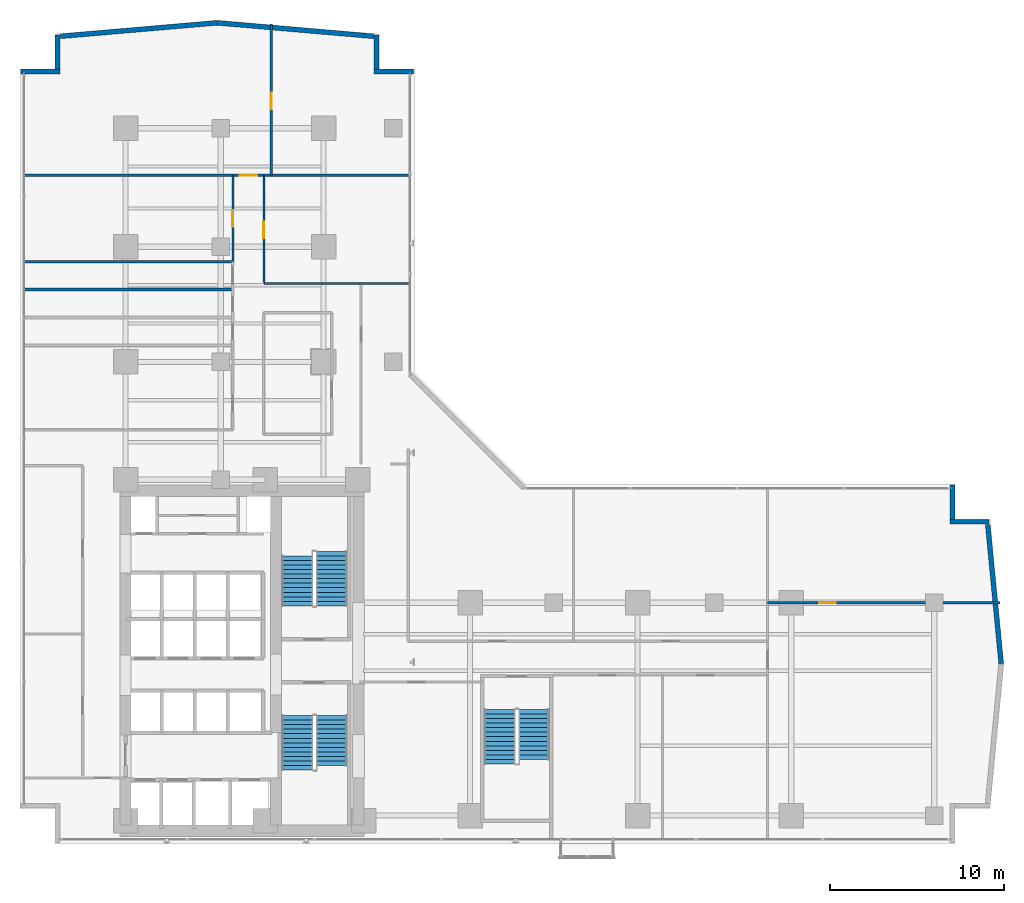
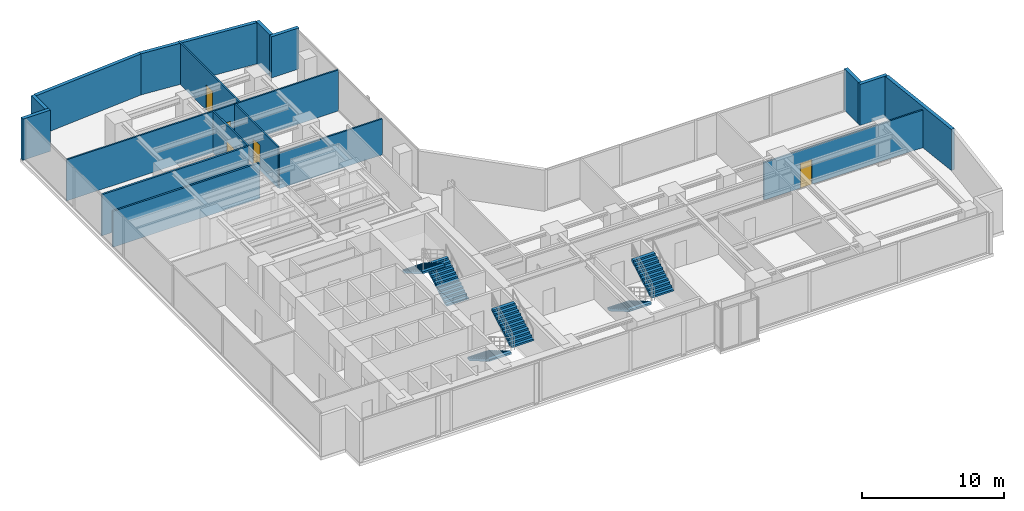
# One storey, part 23 of 28: 17 walls, 6 stair flights, 5 doors, 5 openings, 3 elements without a shape of their own.
"""IFC4 building model written with IfcOpenShell, lengths in metres."""

import ifcopenshell
import ifcopenshell.guid

model = None  # the IFC model being written
_history = None  # IfcOwnerHistory: only IFC2X3 demands one
_inside = {}  # id of a spatial element -> (the spatial element, [elements in it])
_under = {}  # id of a project, library or spatial element -> (it, [spatial elements below it])
_declared = {}  # id of a project -> (the project, [libraries it declares])
_typed = {}  # id of a type object -> (the type object, [elements of that type])
_made_of = {}  # id of a material, layer set ... -> (it, [elements and type objects made of it])


def new_model(schema):
    """Start an empty IFC model of exactly this schema.

    Asked for "IFC4X3", IfcOpenShell would pick the latest addendum, in which some entities
    have other attributes; the version numbers below select the first issue.
    IFC2X3 requires an IfcOwnerHistory on every rooted entity: one is made here for all.
    """
    global model, _history
    if schema == "IFC4X3":
        model = ifcopenshell.file(schema_version=(4, 3, 0, 0))
    else:
        model = ifcopenshell.file(schema=schema)
    _inside.clear()
    _under.clear()
    _declared.clear()
    _typed.clear()
    _made_of.clear()
    _history = None
    if model.schema == "IFC2X3":
        org = make("IfcOrganization", Name="unknown")
        user = make(
            "IfcPersonAndOrganization",
            ThePerson=make("IfcPerson", FamilyName="unknown"),
            TheOrganization=org,
        )
        app = make(
            "IfcApplication",
            ApplicationDeveloper=org,
            Version="unknown",
            ApplicationFullName="unknown",
            ApplicationIdentifier="unknown",
        )
        _history = make(
            "IfcOwnerHistory",
            OwningUser=user,
            OwningApplication=app,
            ChangeAction="ADDED",
            CreationDate=0,
        )
    return model


def make(cls, **values):
    """One entity of the class cls with the attributes given. An attribute that is None is left unset."""
    return model.create_entity(
        cls, **{name: value for name, value in values.items() if value is not None}
    )


def rooted(cls, **values):
    """An entity with a GlobalId (a new one), such as an element, a storey or a relation."""
    return make(cls, GlobalId=ifcopenshell.guid.new(), OwnerHistory=_history, **values)


def si_unit(unit_type, name, prefix=None):
    """IfcSIUnit, for example si_unit("LENGTHUNIT", "METRE", prefix="MILLI")."""
    return make("IfcSIUnit", UnitType=unit_type, Prefix=prefix, Name=name)


def assignment(units):
    """IfcUnitAssignment: the units of a project."""
    return None if units is None else make("IfcUnitAssignment", Units=units)


def point(xyz):
    """IfcCartesianPoint."""
    return None if xyz is None else make("IfcCartesianPoint", Coordinates=xyz)


def direction(xyz):
    """IfcDirection."""
    return None if xyz is None else make("IfcDirection", DirectionRatios=xyz)


def frame(location, z_axis=None, x_axis=None):
    """IfcAxis2Placement3D, a coordinate frame: its origin and axes. An axis left out is left unset."""
    return make(
        "IfcAxis2Placement3D",
        Location=point(location),
        Axis=direction(z_axis),
        RefDirection=direction(x_axis),
    )


def frame_2d(location, x_axis=None):
    """IfcAxis2Placement2D, a coordinate frame in the plane: its origin and x axis."""
    return make(
        "IfcAxis2Placement2D", Location=point(location), RefDirection=direction(x_axis)
    )


def origin():
    """The frame at (0, 0, 0) with its axes left unset."""
    return frame((0.0, 0.0, 0.0))


def place(relative_to, where):
    """IfcLocalPlacement: puts the frame where relative to a parent placement (None: the world)."""
    return make(
        "IfcLocalPlacement", PlacementRelTo=relative_to, RelativePlacement=where
    )


def context(
    kind, dimensions, precision=None, world=None, true_north=None, identifier=None
):
    """IfcGeometricRepresentationContext, for example the 3D "Model" context."""
    return make(
        "IfcGeometricRepresentationContext",
        ContextIdentifier=identifier,
        ContextType=kind,
        CoordinateSpaceDimension=dimensions,
        Precision=precision,
        WorldCoordinateSystem=world,
        TrueNorth=true_north,
    )


def subcontext(parent, identifier, kind, view, scale=None):
    """IfcGeometricRepresentationSubContext, for example "Body" below "Model"."""
    return make(
        "IfcGeometricRepresentationSubContext",
        ContextIdentifier=identifier,
        ContextType=kind,
        ParentContext=parent,
        TargetScale=scale,
        TargetView=view,
    )


def project(units=None, contexts=None):
    """IfcProject with its units and contexts."""
    return rooted(
        "IfcProject",
        Name="project",
        RepresentationContexts=contexts,
        UnitsInContext=assignment(units),
    )


def spatial(cls, under=None, at=None, **own):
    """A site, building, storey or space (cls), placed at a placement, below another one or the project."""
    s = rooted(cls, ObjectPlacement=at, **own)
    if under is not None:
        _under.setdefault(under.id(), (under, []))[1].append(s)
    return s


def polyline(points):
    """IfcPolyline through the points."""
    return make("IfcPolyline", Points=[point(p) for p in points])


def profile(cls, at=None, kind="AREA", **sizes):
    """A parametric profile (cls). Its sizes go by their IFC names, for example OverallWidth=200.0."""
    return make(cls, ProfileType=kind, Position=at, **sizes)


def rectangle(**sizes):
    """IfcRectangleProfileDef."""
    return profile("IfcRectangleProfileDef", **sizes)


def outline(outer, holes=None, kind="AREA"):
    """IfcArbitraryClosedProfileDef: a profile drawn as a closed curve; with holes, ...WithVoids."""
    if holes is None:
        return make("IfcArbitraryClosedProfileDef", ProfileType=kind, OuterCurve=outer)
    return make(
        "IfcArbitraryProfileDefWithVoids",
        ProfileType=kind,
        OuterCurve=outer,
        InnerCurves=holes,
    )


def extrude(swept, where, along, depth):
    """IfcExtrudedAreaSolid: the profile swept, set in the frame where, extruded along a direction by depth."""
    return make(
        "IfcExtrudedAreaSolid",
        SweptArea=swept,
        Position=where,
        ExtrudedDirection=direction(along),
        Depth=depth,
    )


def shape(context_of_items, identifier, shape_type, items):
    """IfcShapeRepresentation: the items that make up one representation, for example the "Body"."""
    return make(
        "IfcShapeRepresentation",
        ContextOfItems=context_of_items,
        RepresentationIdentifier=identifier,
        RepresentationType=shape_type,
        Items=items,
    )


def material(Name=None, Category=None):
    """IfcMaterial."""
    return make("IfcMaterial", Name=Name, Category=Category)


def layer(
    of_material, thickness, ventilated=None, Name=None, Category=None, Priority=None
):
    """IfcMaterialLayer: one layer of a wall or slab, of a material (None: an air gap)."""
    return make(
        "IfcMaterialLayer",
        Material=of_material,
        LayerThickness=thickness,
        IsVentilated=ventilated,
        Name=Name,
        Category=Category,
        Priority=Priority,
    )


def layer_set(layers, Name=None):
    """IfcMaterialLayerSet."""
    return make("IfcMaterialLayerSet", MaterialLayers=layers, LayerSetName=Name)


def made_of(thing, what):
    """Note that an element or type object is made of a material, layer set ...; save() writes the relation."""
    if what is not None:
        _made_of.setdefault(what.id(), (what, []))[1].append(thing)
    return thing


def type_object(cls, material=None, **own):
    """A type object (cls), such as IfcWallType, which elements share."""
    return made_of(rooted(cls, **own), material)


def element(
    cls,
    number,
    at=None,
    inside=None,
    cuts=None,
    type_object=None,
    material=None,
    context=None,
    identifier="Body",
    shape_type=None,
    held_by="IfcProductDefinitionShape",
    body=None,
    shapes=None,
    **own,
):
    """One element of the class cls, such as IfcWall. Its Tag is "e" and its number.

    at: its placement. inside: the storey or other place that contains it. cuts: it is an
    opening in that element (IfcRelVoidsElement). A single representation is given by context,
    identifier, shape_type and body (its items); several are given by shapes. held_by: the class
    of the entity that holds the representations. save() writes the other relations.
    """
    e = rooted(cls, Tag="e%d" % number, ObjectPlacement=at, **own)
    if body is not None:
        shapes = [shape(context, identifier, shape_type, body)]
    if shapes is not None:
        e.Representation = make(held_by, Representations=shapes)
    if inside is not None:
        _inside.setdefault(inside.id(), (inside, []))[1].append(e)
    if cuts is not None:
        rooted(
            "IfcRelVoidsElement", RelatingBuildingElement=cuts, RelatedOpeningElement=e
        )
    if type_object is not None:
        _typed.setdefault(type_object.id(), (type_object, []))[1].append(e)
    return made_of(e, material)


def fill(opening, filler):
    """IfcRelFillsElement: the door or window that sits in an opening."""
    return rooted(
        "IfcRelFillsElement",
        RelatingOpeningElement=opening,
        RelatedBuildingElement=filler,
    )


def aggregate(whole, parts):
    """IfcRelAggregates: a whole, such as a stair, and the parts it consists of."""
    return rooted("IfcRelAggregates", RelatingObject=whole, RelatedObjects=parts)


def save(model, path):
    """Write the relations noted so far, then the file.

    IfcRelAggregates (storeys below a building ...), IfcRelContainedInSpatialStructure (elements
    in a storey), IfcRelDefinesByType, IfcRelAssociatesMaterial and IfcRelDeclares: one each for
    every whole, place, type object, material and project.
    """
    for whole, parts in _under.values():
        aggregate(whole, parts)
    for where, things in _inside.values():
        rooted(
            "IfcRelContainedInSpatialStructure",
            RelatedElements=things,
            RelatingStructure=where,
        )
    for kind, things in _typed.values():
        rooted("IfcRelDefinesByType", RelatedObjects=things, RelatingType=kind)
    for what, things in _made_of.values():
        rooted("IfcRelAssociatesMaterial", RelatedObjects=things, RelatingMaterial=what)
    for by, libraries in _declared.values():
        rooted("IfcRelDeclares", RelatingContext=by, RelatedDefinitions=libraries)
    model.write(path)


model = new_model("IFC4")

# Units and contexts
model_context = context("Model", 3, precision=1e-05, world=origin(), true_north=direction((0.0, 1.0)))
body_context = subcontext(model_context, "Body", "Model", "MODEL_VIEW")
ifc_project = project(units=[si_unit("LENGTHUNIT", "METRE"), si_unit("AREAUNIT", "SQUARE_METRE"), si_unit("VOLUMEUNIT", "CUBIC_METRE"), si_unit("PLANEANGLEUNIT", "RADIAN"), si_unit("MASSUNIT", "GRAM", prefix="KILO")], contexts=[model_context])

# Site, building, storey
site_placement = place(None, origin())
site = spatial("IfcSite", under=ifc_project, at=site_placement, CompositionType="ELEMENT")
building_placement = place(site_placement, origin())
building = spatial("IfcBuilding", under=site, at=building_placement, Name="Kolvaren Waterfront Exchange", CompositionType="ELEMENT")
storey_placement = place(building_placement, frame((0.0, 0.0, 114.5)))
storey = spatial("IfcBuildingStorey", under=building, at=storey_placement, Name="L29", CompositionType="ELEMENT", Elevation=114.5)

# Walls
ifc_material_1 = material(Name="Precast concrete C40/50", Category="concrete")
ifc_layer_1 = layer(ifc_material_1, 0.280029296875, Name="Precast concrete C40/50")
ifc_layer_set_1 = layer_set([ifc_layer_1], Name="Precast concrete C40/50")
wall_type_1 = type_object("IfcWallType", Name="ARC-EXT-TERR-280", PredefinedType="SOLIDWALL", material=ifc_layer_set_1)
wall_1_placement = place(storey_placement, frame((54.840087890625, 22.1650390625, 0.0), z_axis=(0.0, 0.0, 1.0), x_axis=(0.0, 1.0, 0.0)))
element("IfcWall", 1, at=wall_1_placement, inside=storey, type_object=wall_type_1, Name="L29 notched corner spandrel pier ENE-A", PredefinedType="SOLIDWALL", context=body_context, shape_type="SweptSolid", body=[
    extrude(rectangle(XDim=1.974853515625, YDim=0.280029296875, at=frame_2d((0.9873046875, 0.0))), origin(), (0.0, 0.0, 1.0), 3.5400390625),
])
for number, where, z_axis, x_axis, name in (
    (2, (54.699951171875, 22.0400390625, 0.0), (0.0, 0.0, 1.0), (1.0, 0.0, 0.0), "L29 notched corner spandrel pier ENE-B"),
    (3, (21.699951171875, 47.840087890625, 0.0), (0.0, 0.0, 1.0), (1.0, 0.0, 0.0), "L29 notched corner spandrel pier NNE-A"),
):
    element("IfcWall", number, at=place(storey_placement, frame(where, z_axis=z_axis, x_axis=x_axis)), inside=storey, type_object=wall_type_1, Name=name, PredefinedType="SOLIDWALL", context=body_context, shape_type="SweptSolid", body=[
        extrude(rectangle(XDim=2.239990234375, YDim=0.280029296875, at=frame_2d((1.1201171875, 0.0))), origin(), (0.0, 0.0, 1.0), 3.5400390625),
    ])
wall_2_placement = place(storey_placement, frame((21.840087890625, 47.97998046875, 0.0), z_axis=(0.0, 0.0, 1.0), x_axis=(0.0, 1.0, 0.0)))
element("IfcWall", 4, at=wall_2_placement, inside=storey, type_object=wall_type_1, Name="L29 notched corner spandrel pier NNE-B", PredefinedType="SOLIDWALL", context=body_context, shape_type="SweptSolid", body=[
    extrude(rectangle(XDim=1.9599609375, YDim=0.280029296875, at=frame_2d((0.97998046875, 0.0))), origin(), (0.0, 0.0, 1.0), 3.5400390625),
])
wall_3_placement = place(storey_placement, frame((1.4599609375, 47.840087890625, 0.0), z_axis=(0.0, 0.0, 1.0), x_axis=(1.0, 0.0, 0.0)))
element("IfcWall", 5, at=wall_3_placement, inside=storey, type_object=wall_type_1, Name="L29 notched corner spandrel pier NW-A", PredefinedType="SOLIDWALL", context=body_context, shape_type="SweptSolid", body=[
    extrude(rectangle(XDim=2.239990234375, YDim=0.280029296875, at=frame_2d((1.1201171875, 0.0))), origin(), (0.0, 0.0, 1.0), 3.5400390625),
])
wall_4_placement = place(storey_placement, frame((3.56005859375, 47.97998046875, 0.0), z_axis=(0.0, 0.0, 1.0), x_axis=(0.0, 1.0, 0.0)))
element("IfcWall", 6, at=wall_4_placement, inside=storey, type_object=wall_type_1, Name="L29 notched corner spandrel pier NW-B", PredefinedType="SOLIDWALL", context=body_context, shape_type="SweptSolid", body=[
    extrude(rectangle(XDim=1.9599609375, YDim=0.280029296875, at=frame_2d((0.97998046875, 0.0))), origin(), (0.0, 0.0, 1.0), 3.5400390625),
])
wall_5_placement = place(storey_placement, frame((57.638916015625, 13.904541015625, 0.0), z_axis=(0.0, 0.0, 1.0), x_axis=(-0.095969995245, 0.995384227328, 0.0)))
element("IfcWall", 7, at=wall_5_placement, inside=storey, type_object=wall_type_1, Name="L29 east prow faceted facade wall 2", PredefinedType="SOLIDWALL", context=body_context, shape_type="SweptSolid", body=[
    extrude(rectangle(XDim=8.0185546875, YDim=0.280029296875, at=frame_2d((4.00927734375, 0.0))), origin(), (0.0, 0.0, 1.0), 3.5400390625),
])
for number, where, z_axis, x_axis, name in (
    (8, (21.6875, 49.8662109375, 0.0), (0.0, 0.0, 1.0), (-0.996319339243, 0.085719159179, 0.0), "L29 north prow faceted facade wall 1"),
    (9, (12.69384765625, 50.638916015625, 0.0), (0.0, 0.0, 1.0), (-0.996319339243, -0.085719159179, 0.0), "L29 north prow faceted facade wall 2"),
):
    element("IfcWall", number, at=place(storey_placement, frame(where, z_axis=z_axis, x_axis=x_axis)), inside=storey, type_object=wall_type_1, Name=name, PredefinedType="SOLIDWALL", context=body_context, shape_type="SweptSolid", body=[
        extrude(rectangle(XDim=9.014404296875, YDim=0.280029296875, at=frame_2d((4.50732421875, 0.0))), origin(), (0.0, 0.0, 1.0), 3.5400390625),
    ])
ifc_material_2 = material(Name="Acoustic gypsum steel stud", Category="steel")
ifc_layer_2 = layer(ifc_material_2, 0.125, Name="Acoustic gypsum steel stud")
ifc_layer_set_2 = layer_set([ifc_layer_2], Name="Acoustic gypsum steel stud")
wall_type_2 = type_object("IfcWallType", Name="ARC-PART-125", PredefinedType="PARTITIONING", material=ifc_layer_set_2)
wall_6_placement = place(storey_placement, frame((15.3798828125, 35.699951171875, 0.0), z_axis=(0.0, 0.0, 1.0), x_axis=(1.0, 0.0, 0.0)))
element("IfcWall", 10, at=wall_6_placement, inside=storey, type_object=wall_type_2, Name="L29 interior wall PW-L29-RFLANK-N", PredefinedType="PARTITIONING", context=body_context, shape_type="SweptSolid", body=[
    extrude(rectangle(XDim=8.380126953125, YDim=0.125, at=frame_2d((4.18994140625, 0.0))), origin(), (0.0, 0.0, 1.0), 3.090087890625),
])

# Wall, opening, door
wall_7_placement = place(storey_placement, frame((44.25, 17.39990234375, 0.0), z_axis=(0.0, 0.0, 1.0), x_axis=(1.0, 0.0, 0.0)))
wall_7 = element("IfcWall", 11, at=wall_7_placement, inside=storey, type_object=wall_type_2, Name="L29 interior wall PW-L29-ETIP-MID", PredefinedType="PARTITIONING", context=body_context, shape_type="SweptSolid", body=[
    extrude(rectangle(XDim=13.31005859375, YDim=0.125, at=frame_2d((6.655029296875, 0.0))), origin(), (0.0, 0.0, 1.0), 3.239990234375),
])
opening_1_placement = place(wall_7_placement, frame((2.949951171875, 0.0, 0.0)))
opening_1 = element("IfcOpeningElement", 12, at=opening_1_placement, cuts=wall_7, Name="Opening D02", PredefinedType="OPENING", context=body_context, shape_type="SweptSolid", body=[
    extrude(rectangle(XDim=0.949951171875, YDim=2.14990234375, at=frame_2d((0.47509765625, 1.074951171875))), frame((0.0, 0.072509765625, 0.0), z_axis=(0.0, -1.0, 0.0), x_axis=(1.0, 0.0, 0.0)), (0.0, 0.0, 1.0), 0.14501953125),
])
ifc_material_3 = material(Name="Oak veneer acoustic timber", Category="wood")
door_type_1 = type_object("IfcDoorType", Name="ARC-DR-950", OperationType="NOTDEFINED", PredefinedType="DOOR", material=ifc_material_3)
door_1_placement = place(opening_1_placement, origin())
door_1 = element("IfcDoor", 13, at=door_1_placement, inside=storey, type_object=door_type_1, Name="L29 door DR-L29-ETIP2-D (D02)", OperationType="SINGLE_SWING_RIGHT", OverallHeight=2.14990234375, OverallWidth=0.949951171875, PredefinedType="DOOR", context=body_context, shape_type="SweptSolid", body=[
    extrude(rectangle(XDim=0.949951171875, YDim=2.14990234375, at=frame_2d((0.47509765625, 1.074951171875))), frame((0.0, 0.02490234375, 0.0), z_axis=(0.0, -1.0, 0.0), x_axis=(1.0, 0.0, 0.0)), (0.0, 0.0, 1.0), 0.050048828125),
])
fill(opening_1, door_1)

wall_8_placement = place(storey_placement, frame((13.60009765625, 36.949951171875, 0.0), z_axis=(0.0, 0.0, 1.0), x_axis=(0.0, 1.0, 0.0)))
wall_8 = element("IfcWall", 14, at=wall_8_placement, inside=storey, type_object=wall_type_2, Name="L29 interior wall PW-L29-NW-CORR", PredefinedType="PARTITIONING", context=body_context, shape_type="SweptSolid", body=[
    extrude(rectangle(XDim=4.949951171875, YDim=0.125, at=frame_2d((2.47509765625, 0.0))), origin(), (0.0, 0.0, 1.0), 3.5400390625),
])
opening_2_placement = place(wall_8_placement, frame((2.0, 0.0, 0.0)))
opening_2 = element("IfcOpeningElement", 15, at=opening_2_placement, cuts=wall_8, Name="Opening D02", PredefinedType="OPENING", context=body_context, shape_type="SweptSolid", body=[
    extrude(rectangle(XDim=0.949951171875, YDim=2.14990234375, at=frame_2d((0.47509765625, 1.074951171875))), frame((0.0, 0.072509765625, 0.0), z_axis=(0.0, -1.0, 0.0), x_axis=(1.0, 0.0, 0.0)), (0.0, 0.0, 1.0), 0.14501953125),
])
door_2_placement = place(opening_2_placement, origin())
door_2 = element("IfcDoor", 16, at=door_2_placement, inside=storey, type_object=door_type_1, Name="L29 door DR-L29-NW-D-1 (D02)", OperationType="SINGLE_SWING_LEFT", OverallHeight=2.14990234375, OverallWidth=0.949951171875, PredefinedType="DOOR", context=body_context, shape_type="SweptSolid", body=[
    extrude(rectangle(XDim=0.949951171875, YDim=2.14990234375, at=frame_2d((0.47509765625, 1.074951171875))), frame((0.0, 0.02490234375, 0.0), z_axis=(0.0, -1.0, 0.0), x_axis=(1.0, 0.0, 0.0)), (0.0, 0.0, 1.0), 0.050048828125),
])
fill(opening_2, door_2)

wall_9_placement = place(storey_placement, frame((1.639892578125, 41.89990234375, 0.0), z_axis=(0.0, 0.0, 1.0), x_axis=(1.0, 0.0, 0.0)))
wall_9 = element("IfcWall", 17, at=wall_9_placement, inside=storey, type_object=wall_type_2, Name="L29 interior wall PW-L29-NTIP-S", PredefinedType="PARTITIONING", context=body_context, shape_type="SweptSolid", body=[
    extrude(rectangle(XDim=22.1201171875, YDim=0.125, at=frame_2d((11.06005859375, 0.0))), origin(), (0.0, 0.0, 1.0), 3.5400390625),
])
opening_3_placement = place(wall_9_placement, frame((12.35009765625, 0.0, 0.0)))
opening_3 = element("IfcOpeningElement", 18, at=opening_3_placement, cuts=wall_9, Name="Opening D03", PredefinedType="OPENING", context=body_context, shape_type="SweptSolid", body=[
    extrude(rectangle(XDim=1.0, YDim=2.199951171875, at=frame_2d((0.5, 1.10009765625))), frame((0.0, 0.072509765625, 0.0), z_axis=(0.0, -1.0, 0.0), x_axis=(1.0, 0.0, 0.0)), (0.0, 0.0, 1.0), 0.14501953125),
])
ifc_material_4 = material(Name="Oak veneer accessible timber", Category="wood")
door_type_2 = type_object("IfcDoorType", Name="ARC-DR-1000", OperationType="NOTDEFINED", PredefinedType="DOOR", material=ifc_material_4)
door_3_placement = place(opening_3_placement, origin())
door_3 = element("IfcDoor", 19, at=door_3_placement, inside=storey, type_object=door_type_2, Name="L29 door DR-L29-NTIPW-D (D03)", OperationType="SINGLE_SWING_RIGHT", OverallHeight=2.199951171875, OverallWidth=1.0, PredefinedType="DOOR", context=body_context, shape_type="SweptSolid", body=[
    extrude(rectangle(XDim=1.0, YDim=2.199951171875, at=frame_2d((0.5, 1.10009765625))), frame((0.0, 0.02490234375, 0.0), z_axis=(0.0, -1.0, 0.0), x_axis=(1.0, 0.0, 0.0)), (0.0, 0.0, 1.0), 0.050048828125),
])
fill(opening_3, door_3)

wall_10_placement = place(storey_placement, frame((15.800048828125, 41.89990234375, 0.0), z_axis=(0.0, 0.0, 1.0), x_axis=(0.0, 1.0, 0.0)))
wall_10 = element("IfcWall", 20, at=wall_10_placement, inside=storey, type_object=wall_type_2, Name="L29 interior wall PW-L29-NTIP-DIV", PredefinedType="PARTITIONING", context=body_context, shape_type="SweptSolid", body=[
    extrude(rectangle(XDim=8.66015625, YDim=0.125, at=frame_2d((4.330078125, 0.0))), origin(), (0.0, 0.0, 1.0), 3.5400390625),
])
opening_4_placement = place(wall_10_placement, frame((3.77880859375, 0.0, 0.0)))
opening_4 = element("IfcOpeningElement", 21, at=opening_4_placement, cuts=wall_10, Name="Opening D02", PredefinedType="OPENING", context=body_context, shape_type="SweptSolid", body=[
    extrude(rectangle(XDim=0.949951171875, YDim=2.14990234375, at=frame_2d((0.47509765625, 1.074951171875))), frame((0.0, 0.072509765625, 0.0), z_axis=(0.0, -1.0, 0.0), x_axis=(1.0, 0.0, 0.0)), (0.0, 0.0, 1.0), 0.14501953125),
])
door_4_placement = place(opening_4_placement, origin())
door_4 = element("IfcDoor", 22, at=door_4_placement, inside=storey, type_object=door_type_1, Name="L29 door DR-L29-NTIPE-D (D02)", OperationType="SINGLE_SWING_LEFT", OverallHeight=2.14990234375, OverallWidth=0.949951171875, PredefinedType="DOOR", context=body_context, shape_type="SweptSolid", body=[
    extrude(rectangle(XDim=0.949951171875, YDim=2.14990234375, at=frame_2d((0.47509765625, 1.074951171875))), frame((0.0, 0.02490234375, 0.0), z_axis=(0.0, -1.0, 0.0), x_axis=(1.0, 0.0, 0.0)), (0.0, 0.0, 1.0), 0.050048828125),
])
fill(opening_4, door_4)

wall_11_placement = place(storey_placement, frame((15.3798828125, 35.75, 0.0), z_axis=(0.0, 0.0, 1.0), x_axis=(0.0, 1.0, 0.0)))
wall_11 = element("IfcWall", 23, at=wall_11_placement, inside=storey, type_object=wall_type_2, Name="L29 interior wall PW-L29-NE-CORR", PredefinedType="PARTITIONING", context=body_context, shape_type="SweptSolid", body=[
    extrude(rectangle(XDim=6.14990234375, YDim=0.125, at=frame_2d((3.074951171875, 0.0))), origin(), (0.0, 0.0, 1.0), 3.5400390625),
])
opening_5_placement = place(wall_11_placement, frame((2.529052734375, 0.0, 0.0)))
opening_5 = element("IfcOpeningElement", 24, at=opening_5_placement, cuts=wall_11, Name="Opening D02", PredefinedType="OPENING", context=body_context, shape_type="SweptSolid", body=[
    extrude(rectangle(XDim=0.949951171875, YDim=2.14990234375, at=frame_2d((0.47509765625, 1.074951171875))), frame((0.0, 0.072509765625, 0.0), z_axis=(0.0, -1.0, 0.0), x_axis=(1.0, 0.0, 0.0)), (0.0, 0.0, 1.0), 0.14501953125),
])
door_5_placement = place(opening_5_placement, origin())
door_5 = element("IfcDoor", 25, at=door_5_placement, inside=storey, type_object=door_type_1, Name="L29 door DR-L29-NE-D-1 (D02)", OperationType="SINGLE_SWING_RIGHT", OverallHeight=2.14990234375, OverallWidth=0.949951171875, PredefinedType="DOOR", context=body_context, shape_type="SweptSolid", body=[
    extrude(rectangle(XDim=0.949951171875, YDim=2.14990234375, at=frame_2d((0.47509765625, 1.074951171875))), frame((0.0, 0.02490234375, 0.0), z_axis=(0.0, -1.0, 0.0), x_axis=(1.0, 0.0, 0.0)), (0.0, 0.0, 1.0), 0.050048828125),
])
fill(opening_5, door_5)

# Walls
ifc_material_5 = material(Name="Moisture-resistant gypsum stud")
ifc_layer_3 = layer(ifc_material_5, 0.14990234375, Name="Moisture-resistant gypsum stud")
ifc_layer_set_3 = layer_set([ifc_layer_3], Name="Moisture-resistant gypsum stud")
wall_type_3 = type_object("IfcWallType", Name="ARC-PLUMB-150", PredefinedType="PLUMBINGWALL", material=ifc_layer_set_3)
wall_12_placement = place(storey_placement, frame((1.639892578125, 35.35009765625, 0.0), z_axis=(0.0, 0.0, 1.0), x_axis=(1.0, 0.0, 0.0)))
element("IfcWall", 26, at=wall_12_placement, inside=storey, type_object=wall_type_3, Name="L29 interior wall PW-L29-WC-2", PredefinedType="PLUMBINGWALL", context=body_context, shape_type="SweptSolid", body=[
    extrude(rectangle(XDim=11.960205078125, YDim=0.14990234375, at=frame_2d((5.97998046875, 0.0))), origin(), (0.0, 0.0, 1.0), 3.090087890625),
])
wall_13_placement = place(storey_placement, frame((1.639892578125, 36.949951171875, 0.0), z_axis=(0.0, 0.0, 1.0), x_axis=(1.0, 0.0, 0.0)))
element("IfcWall", 27, at=wall_13_placement, inside=storey, type_object=wall_type_3, Name="L29 interior wall PW-L29-WC-3", PredefinedType="PLUMBINGWALL", context=body_context, shape_type="SweptSolid", body=[
    extrude(rectangle(XDim=11.960205078125, YDim=0.14990234375, at=frame_2d((5.97998046875, 0.0))), origin(), (0.0, 0.0, 1.0), 3.5400390625),
])

# Stair, stair flights
ifc_material_6 = material(Name="Concrete C40/50", Category="concrete")
stair_type = type_object("IfcStairType", Name="ARC-STAIR-3800", PredefinedType="HALF_TURN_STAIR", material=ifc_material_6)
stair_1_placement = place(storey_placement, origin())
stair_1 = element("IfcStair", 28, at=stair_1_placement, inside=storey, type_object=stair_type, Name="L29 Smoke-proof exit stair ST1", PredefinedType="HALF_TURN_STAIR")
stair_flight_type = type_object("IfcStairFlightType", Name="ARC-FLIGHT-3800", PredefinedType="STRAIGHT", material=ifc_material_6)
stair_flight_1_placement = place(storey_placement, frame((17.300048828125, 10.929931640625, 0.0), z_axis=(0.0, 0.0, 1.0), x_axis=(0.0, -1.0, 0.0)))
stair_flight_1 = element("IfcStairFlight", 29, at=stair_flight_1_placement, type_object=stair_flight_type, Name="ST1 flight 1", NumberOfRisers=13, NumberOfTreads=12, PredefinedType="STRAIGHT", RiserHeight=0.152, TreadLength=0.26, context=body_context, shape_type="SweptSolid", body=[
    extrude(outline(polyline([(0.0, 0.0), (0.0, 0.152099609375), (0.260009765625, 0.152099609375), (0.260009765625, 0.303955078125), (0.52001953125, 0.303955078125), (0.52001953125, 0.4560546875), (0.780029296875, 0.4560546875), (0.780029296875, 0.60791015625), (1.0400390625, 0.60791015625), (1.0400390625, 0.760009765625), (1.300048828125, 0.760009765625), (1.300048828125, 0.912109375), (1.56005859375, 0.912109375), (1.56005859375, 1.06396484375), (1.820068359375, 1.06396484375), (1.820068359375, 1.216064453125), (2.080078125, 1.216064453125), (2.080078125, 1.367919921875), (2.340087890625, 1.367919921875), (2.340087890625, 1.52001953125), (2.60009765625, 1.52001953125), (2.60009765625, 1.672119140625), (2.860107421875, 1.672119140625), (2.860107421875, 1.823974609375), (3.1201171875, 1.823974609375), (3.1201171875, 1.97607421875), (3.1201171875, 1.650390625), (0.297119140625, 0.0), (0.0, 0.0)])), frame((0.0, 0.89990234375, 0.0), z_axis=(0.0, -1.0, 0.0), x_axis=(1.0, 0.0, 0.0)), (0.0, 0.0, 1.0), 1.800048828125),
])
stair_flight_2_placement = place(storey_placement, frame((19.260009765625, 8.070068359375, 1.97607421875), z_axis=(0.0, 0.0, 1.0), x_axis=(0.0, 1.0, 0.0)))
stair_flight_2 = element("IfcStairFlight", 30, at=stair_flight_2_placement, type_object=stair_flight_type, Name="ST1 flight 2", NumberOfRisers=12, NumberOfTreads=11, PredefinedType="STRAIGHT", RiserHeight=0.152, TreadLength=0.26, context=body_context, shape_type="SweptSolid", body=[
    extrude(outline(polyline([(0.0, 0.0), (0.0, 0.152099609375), (0.260009765625, 0.152099609375), (0.260009765625, 0.303955078125), (0.52001953125, 0.303955078125), (0.52001953125, 0.4560546875), (0.780029296875, 0.4560546875), (0.780029296875, 0.60791015625), (1.0400390625, 0.60791015625), (1.0400390625, 0.760009765625), (1.300048828125, 0.760009765625), (1.300048828125, 0.912109375), (1.56005859375, 0.912109375), (1.56005859375, 1.06396484375), (1.820068359375, 1.06396484375), (1.820068359375, 1.216064453125), (2.080078125, 1.216064453125), (2.080078125, 1.367919921875), (2.340087890625, 1.367919921875), (2.340087890625, 1.52001953125), (2.60009765625, 1.52001953125), (2.60009765625, 1.672119140625), (2.860107421875, 1.672119140625), (2.860107421875, 1.823974609375), (2.860107421875, 1.498291015625), (0.297119140625, 0.0), (0.0, 0.0)])), frame((0.0, 0.89990234375, 0.0), z_axis=(0.0, -1.0, 0.0), x_axis=(1.0, 0.0, 0.0)), (0.0, 0.0, 1.0), 1.800048828125),
])
aggregate(stair_1, [stair_flight_1, stair_flight_2])

stair_2_placement = place(storey_placement, origin())
stair_2 = element("IfcStair", 31, at=stair_2_placement, inside=storey, type_object=stair_type, Name="L29 Smoke-proof exit stair ST2", PredefinedType="HALF_TURN_STAIR")
stair_flight_3_placement = place(storey_placement, frame((19.260009765625, 17.219970703125, 0.0), z_axis=(0.0, 0.0, 1.0), x_axis=(0.0, 1.0, 0.0)))
stair_flight_3 = element("IfcStairFlight", 32, at=stair_flight_3_placement, type_object=stair_flight_type, Name="ST2 flight 1", NumberOfRisers=13, NumberOfTreads=12, PredefinedType="STRAIGHT", RiserHeight=0.152, TreadLength=0.26, context=body_context, shape_type="SweptSolid", body=[
    extrude(outline(polyline([(0.0, 0.0), (0.0, 0.152099609375), (0.260009765625, 0.152099609375), (0.260009765625, 0.303955078125), (0.52001953125, 0.303955078125), (0.52001953125, 0.4560546875), (0.780029296875, 0.4560546875), (0.780029296875, 0.60791015625), (1.0400390625, 0.60791015625), (1.0400390625, 0.760009765625), (1.300048828125, 0.760009765625), (1.300048828125, 0.912109375), (1.56005859375, 0.912109375), (1.56005859375, 1.06396484375), (1.820068359375, 1.06396484375), (1.820068359375, 1.216064453125), (2.080078125, 1.216064453125), (2.080078125, 1.367919921875), (2.340087890625, 1.367919921875), (2.340087890625, 1.52001953125), (2.60009765625, 1.52001953125), (2.60009765625, 1.672119140625), (2.860107421875, 1.672119140625), (2.860107421875, 1.823974609375), (3.1201171875, 1.823974609375), (3.1201171875, 1.97607421875), (3.1201171875, 1.650390625), (0.297119140625, 0.0), (0.0, 0.0)])), frame((0.0, 0.89990234375, 0.0), z_axis=(0.0, -1.0, 0.0), x_axis=(1.0, 0.0, 0.0)), (0.0, 0.0, 1.0), 1.800048828125),
])
stair_flight_4_placement = place(storey_placement, frame((17.300048828125, 20.080078125, 1.97607421875), z_axis=(0.0, 0.0, 1.0), x_axis=(0.0, -1.0, 0.0)))
stair_flight_4 = element("IfcStairFlight", 33, at=stair_flight_4_placement, type_object=stair_flight_type, Name="ST2 flight 2", NumberOfRisers=12, NumberOfTreads=11, PredefinedType="STRAIGHT", RiserHeight=0.152, TreadLength=0.26, context=body_context, shape_type="SweptSolid", body=[
    extrude(outline(polyline([(0.0, 0.0), (0.0, 0.152099609375), (0.260009765625, 0.152099609375), (0.260009765625, 0.303955078125), (0.52001953125, 0.303955078125), (0.52001953125, 0.4560546875), (0.780029296875, 0.4560546875), (0.780029296875, 0.60791015625), (1.0400390625, 0.60791015625), (1.0400390625, 0.760009765625), (1.300048828125, 0.760009765625), (1.300048828125, 0.912109375), (1.56005859375, 0.912109375), (1.56005859375, 1.06396484375), (1.820068359375, 1.06396484375), (1.820068359375, 1.216064453125), (2.080078125, 1.216064453125), (2.080078125, 1.367919921875), (2.340087890625, 1.367919921875), (2.340087890625, 1.52001953125), (2.60009765625, 1.52001953125), (2.60009765625, 1.672119140625), (2.860107421875, 1.672119140625), (2.860107421875, 1.823974609375), (2.860107421875, 1.498291015625), (0.297119140625, 0.0), (0.0, 0.0)])), frame((0.0, 0.89990234375, 0.0), z_axis=(0.0, -1.0, 0.0), x_axis=(1.0, 0.0, 0.0)), (0.0, 0.0, 1.0), 1.800048828125),
])
aggregate(stair_2, [stair_flight_3, stair_flight_4])

stair_3_placement = place(storey_placement, origin())
stair_3 = element("IfcStair", 34, at=stair_3_placement, inside=storey, type_object=stair_type, Name="L29 Exit stair ST3", PredefinedType="HALF_TURN_STAIR")
stair_flight_5_placement = place(storey_placement, frame((28.89990234375, 11.280029296875, 0.0), z_axis=(0.0, 0.0, 1.0), x_axis=(0.0, -1.0, 0.0)))
stair_flight_5 = element("IfcStairFlight", 35, at=stair_flight_5_placement, type_object=stair_flight_type, Name="ST3 flight 1", NumberOfRisers=13, NumberOfTreads=12, PredefinedType="STRAIGHT", RiserHeight=0.152, TreadLength=0.26, context=body_context, shape_type="SweptSolid", body=[
    extrude(outline(polyline([(0.0, 0.0), (0.0, 0.152099609375), (0.260009765625, 0.152099609375), (0.260009765625, 0.303955078125), (0.52001953125, 0.303955078125), (0.52001953125, 0.4560546875), (0.780029296875, 0.4560546875), (0.780029296875, 0.60791015625), (1.0400390625, 0.60791015625), (1.0400390625, 0.760009765625), (1.300048828125, 0.760009765625), (1.300048828125, 0.912109375), (1.56005859375, 0.912109375), (1.56005859375, 1.06396484375), (1.820068359375, 1.06396484375), (1.820068359375, 1.216064453125), (2.080078125, 1.216064453125), (2.080078125, 1.367919921875), (2.340087890625, 1.367919921875), (2.340087890625, 1.52001953125), (2.60009765625, 1.52001953125), (2.60009765625, 1.672119140625), (2.860107421875, 1.672119140625), (2.860107421875, 1.823974609375), (3.1201171875, 1.823974609375), (3.1201171875, 1.97607421875), (3.1201171875, 1.650390625), (0.297119140625, 0.0), (0.0, 0.0)])), frame((0.0, 0.89990234375, 0.0), z_axis=(0.0, -1.0, 0.0), x_axis=(1.0, 0.0, 0.0)), (0.0, 0.0, 1.0), 1.800048828125),
])
stair_flight_6_placement = place(storey_placement, frame((30.860107421875, 8.419921875, 1.97607421875), z_axis=(0.0, 0.0, 1.0), x_axis=(0.0, 1.0, 0.0)))
stair_flight_6 = element("IfcStairFlight", 36, at=stair_flight_6_placement, type_object=stair_flight_type, Name="ST3 flight 2", NumberOfRisers=12, NumberOfTreads=11, PredefinedType="STRAIGHT", RiserHeight=0.152, TreadLength=0.26, context=body_context, shape_type="SweptSolid", body=[
    extrude(outline(polyline([(0.0, 0.0), (0.0, 0.152099609375), (0.260009765625, 0.152099609375), (0.260009765625, 0.303955078125), (0.52001953125, 0.303955078125), (0.52001953125, 0.4560546875), (0.780029296875, 0.4560546875), (0.780029296875, 0.60791015625), (1.0400390625, 0.60791015625), (1.0400390625, 0.760009765625), (1.300048828125, 0.760009765625), (1.300048828125, 0.912109375), (1.56005859375, 0.912109375), (1.56005859375, 1.06396484375), (1.820068359375, 1.06396484375), (1.820068359375, 1.216064453125), (2.080078125, 1.216064453125), (2.080078125, 1.367919921875), (2.340087890625, 1.367919921875), (2.340087890625, 1.52001953125), (2.60009765625, 1.52001953125), (2.60009765625, 1.672119140625), (2.860107421875, 1.672119140625), (2.860107421875, 1.823974609375), (2.860107421875, 1.498291015625), (0.297119140625, 0.0), (0.0, 0.0)])), frame((0.0, 0.89990234375, 0.0), z_axis=(0.0, -1.0, 0.0), x_axis=(1.0, 0.0, 0.0)), (0.0, 0.0, 1.0), 1.800048828125),
])
aggregate(stair_3, [stair_flight_5, stair_flight_6])

save(model, "model.ifc")
